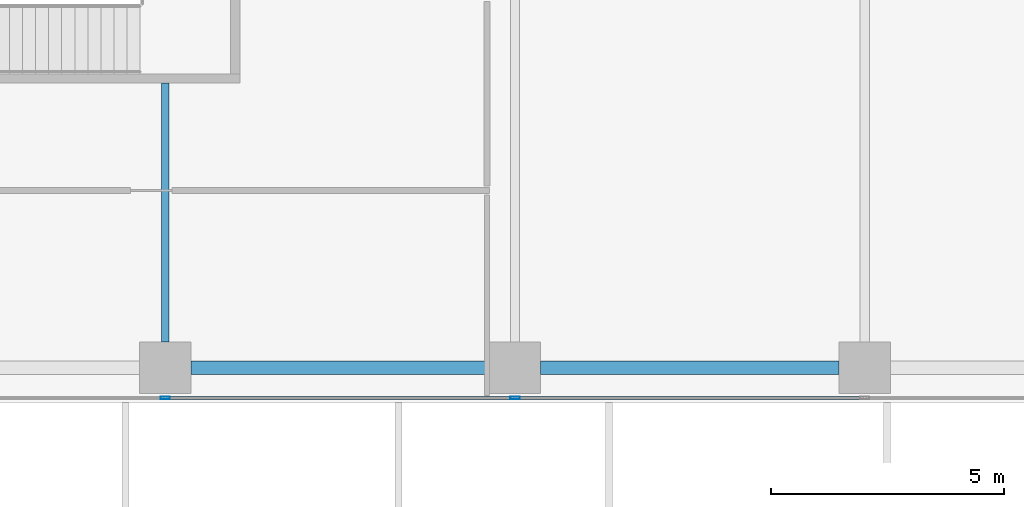
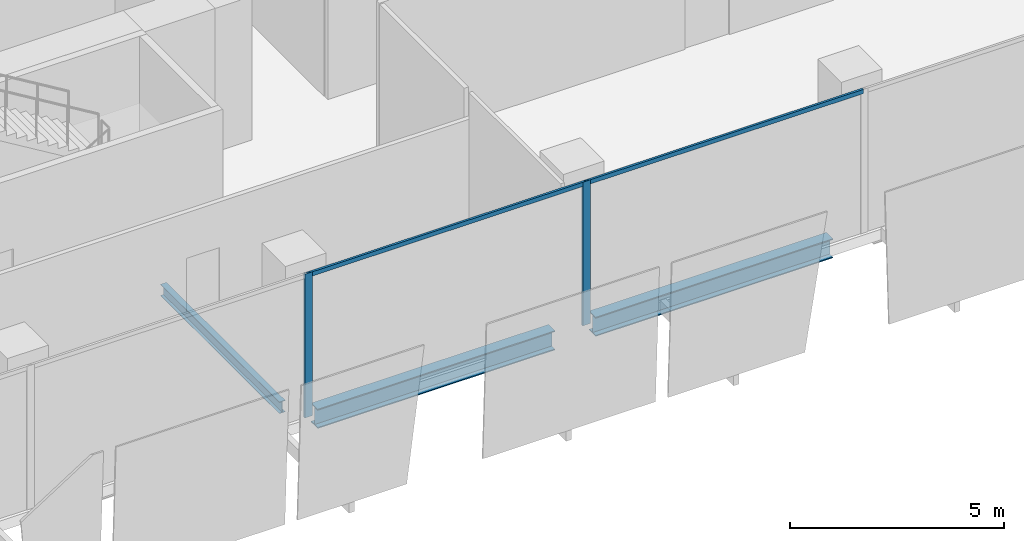
# One storey, part 5 of 34: 4 members, 3 beams, 1 element without a shape of its own.
"""IFC4 building model written with IfcOpenShell, lengths in metres."""

from ifc_helpers import new_model, si_unit, direction, frame, origin, origin_2d, place, context, subcontext, project, spatial, hollow_rectangle, i_section, extrude, source, transform, mapped, material, material_profile, profile_set, type_object, element, aggregate, save


model = new_model("IFC4")

# Units and contexts
model_context = context("Model", 3, precision=1e-05, world=origin(), true_north=direction((0.0, 1.0)))
body_context = subcontext(model_context, "Body", "Model", "MODEL_VIEW")
ifc_project = project(units=[si_unit("LENGTHUNIT", "METRE"), si_unit("AREAUNIT", "SQUARE_METRE"), si_unit("VOLUMEUNIT", "CUBIC_METRE"), si_unit("PLANEANGLEUNIT", "RADIAN"), si_unit("MASSUNIT", "GRAM", prefix="KILO")], contexts=[model_context])

# Site, building, storey
site_placement = place(None, origin())
site = spatial("IfcSite", under=ifc_project, at=site_placement, CompositionType="ELEMENT")
building_placement = place(site_placement, origin())
building = spatial("IfcBuilding", under=site, at=building_placement, Name="Khomas Fold Tower", CompositionType="ELEMENT")
storey_placement = place(building_placement, frame((0.0, 0.0, 154.300048828125)))
storey = spatial("IfcBuildingStorey", under=building, at=storey_placement, Name="L33", CompositionType="ELEMENT", Elevation=154.300048828125)

# Beams
ifc_material_1 = material(Name="Steel S355", Category="steel")
ifc_material_profile_1 = material_profile(ifc_material_1, i_section(OverallWidth=0.300048828125, OverallDepth=0.550048828125, WebThickness=0.014892578125, FlangeThickness=0.029052734375, at=origin_2d()), Name="HE 550 B")
ifc_profile_set_1 = profile_set([ifc_material_profile_1], Name="Steel S355")
beam_type_1 = type_object("IfcBeamType", Name="HE 550 B spandrel SB2", PredefinedType="SPANDREL", material=ifc_profile_set_1)
shared_shape_1 = source(origin(), body_context, "Body", "SweptSolid", [
    extrude(i_section(OverallWidth=0.300048828125, OverallDepth=0.550048828125, WebThickness=0.014892578125, FlangeThickness=0.029052734375, at=origin_2d()), origin(), (0.0, 0.0, 1.0), 6.39990234375),
])
for number, where, z_axis, x_axis, name in (
    (1, (20.050048828125, 2.25, -0.574951171875), (1.0, 0.0, 0.0), (0.0, 1.0, 0.0), "SB2"),
    (2, (27.550048828125, 2.25, -0.574951171875), (1.0, 0.0, 0.0), (0.0, 1.0, 0.0), "SB2"),
):
    element("IfcBeam", number, at=place(storey_placement, frame(where, z_axis=z_axis, x_axis=x_axis)), inside=storey, type_object=beam_type_1, Name=name, PredefinedType="SPANDREL", context=body_context, shape_type="MappedRepresentation", body=[
        mapped(shared_shape_1, transform((0.0, 0.0, 0.0))),
    ])
ifc_material_2 = material(Name="Steel S355", Category="steel")
ifc_material_profile_2 = material_profile(ifc_material_2, i_section(OverallWidth=0.159912109375, OverallDepth=0.330078125, WebThickness=0.007568359375, FlangeThickness=0.011474609375, at=origin_2d()), Name="IPE 330")
ifc_profile_set_2 = profile_set([ifc_material_profile_2], Name="Steel S355")
beam_type_2 = type_object("IfcBeamType", Name="IPE 330 beam JB1", PredefinedType="BEAM", material=ifc_profile_set_2)
shared_shape_2 = source(origin(), body_context, "Body", "SweptSolid", [
    extrude(i_section(OverallWidth=0.159912109375, OverallDepth=0.330078125, WebThickness=0.007568359375, FlangeThickness=0.011474609375, at=origin_2d()), origin(), (0.0, 0.0, 1.0), 5.550048828125),
])
beam_placement = place(storey_placement, frame((19.5, 2.800048828125, -0.465087890625), z_axis=(0.0, 1.0, 0.0), x_axis=(-1.0, 0.0, 0.0)))
element("IfcBeam", 3, at=beam_placement, inside=storey, type_object=beam_type_2, Name="JB1", PredefinedType="BEAM", context=body_context, shape_type="MappedRepresentation", body=[
    mapped(shared_shape_2, transform((0.0, 0.0, 0.0))),
])

# Curtain wall, members
ifc_material_3 = material(Name="Aluminium framed double glazing", Category="aluminium")
curtain_wall_type = type_object("IfcCurtainWallType", Name="SK-Unitised clear-glass wall, growing floors CW1", PredefinedType="NOTDEFINED", material=ifc_material_3)
curtain_wall_placement = place(storey_placement, origin())
curtain_wall = element("IfcCurtainWall", 4, at=curtain_wall_placement, inside=storey, type_object=curtain_wall_type, Name="CW1 run L33 00-0", PredefinedType="NOTDEFINED")
ifc_material_4 = material(Name="Aluminium", Category="aluminium")
ifc_material_profile_3 = material_profile(ifc_material_4, hollow_rectangle(XDim=0.06005859375, YDim=0.1201171875, WallThickness=0.00390625, at=origin_2d()), Name="SK-Unitised clear-glass wall, growing floors transom CW1-T")
ifc_profile_set_3 = profile_set([ifc_material_profile_3], Name="Aluminium")
member_type_1 = type_object("IfcMemberType", Name="SK-Unitised clear-glass wall, growing floors transom CW1-T", PredefinedType="USERDEFINED", material=ifc_profile_set_3)
shared_shape_3 = source(origin(), body_context, "Body", "SweptSolid", [
    extrude(hollow_rectangle(XDim=0.06005859375, YDim=0.1201171875, WallThickness=0.00390625, at=origin_2d()), origin(), (0.0, 0.0, 1.0), 7.43994140625),
])
member_1_placement = place(storey_placement, frame((19.530029296875, 1.60009765625, 4.0400390625), z_axis=(1.0, 0.0, 0.0), x_axis=(0.0, 1.0, 0.0)))
member_1 = element("IfcMember", 5, at=member_1_placement, type_object=member_type_1, Name="CW1 transom 4", ObjectType="TRANSOM", PredefinedType="USERDEFINED", context=body_context, shape_type="MappedRepresentation", body=[
    mapped(shared_shape_3, transform((0.0, 0.0, 0.0))),
])
member_2_placement = place(storey_placement, frame((27.030029296875, 1.60009765625, 4.0400390625), z_axis=(1.0, 0.0, 0.0), x_axis=(0.0, 1.0, 0.0)))
member_2 = element("IfcMember", 6, at=member_2_placement, type_object=member_type_1, Name="CW1 transom 5", ObjectType="TRANSOM", PredefinedType="USERDEFINED", context=body_context, shape_type="MappedRepresentation", body=[
    mapped(shared_shape_3, transform((0.0, 0.0, 0.0))),
])
ifc_material_5 = material(Name="Aluminium", Category="aluminium")
ifc_material_profile_4 = material_profile(ifc_material_5, hollow_rectangle(XDim=0.06005859375, YDim=0.199951171875, WallThickness=0.00390625, at=origin_2d()), Name="SK-Unitised clear-glass wall, growing floors mullion CW1-M")
ifc_profile_set_4 = profile_set([ifc_material_profile_4], Name="Aluminium")
member_type_2 = type_object("IfcMemberType", Name="SK-Unitised clear-glass wall, growing floors mullion CW1-M", PredefinedType="MULLION", material=ifc_profile_set_4)
shared_shape_4 = source(origin(), body_context, "Body", "SweptSolid", [
    extrude(hollow_rectangle(XDim=0.06005859375, YDim=0.199951171875, WallThickness=0.00390625, at=origin_2d()), origin(), (0.0, 0.0, 1.0), 4.099853515625),
])
member_3_placement = place(storey_placement, frame((19.5, 1.60009765625, 0.0), z_axis=(0.0, 0.0, 1.0), x_axis=(0.0, 1.0, 0.0)))
member_3 = element("IfcMember", 7, at=member_3_placement, type_object=member_type_2, Name="CW1 mullion 4", PredefinedType="MULLION", context=body_context, shape_type="MappedRepresentation", body=[
    mapped(shared_shape_4, transform((0.0, 0.0, 0.0))),
])
member_4_placement = place(storey_placement, frame((27.0, 1.60009765625, 0.0), z_axis=(0.0, 0.0, 1.0), x_axis=(0.0, 1.0, 0.0)))
member_4 = element("IfcMember", 8, at=member_4_placement, type_object=member_type_2, Name="CW1 mullion 5", PredefinedType="MULLION", context=body_context, shape_type="MappedRepresentation", body=[
    mapped(shared_shape_4, transform((0.0, 0.0, 0.0))),
])
aggregate(curtain_wall, [member_3, member_4, member_1, member_2])

save(model, "model.ifc")
